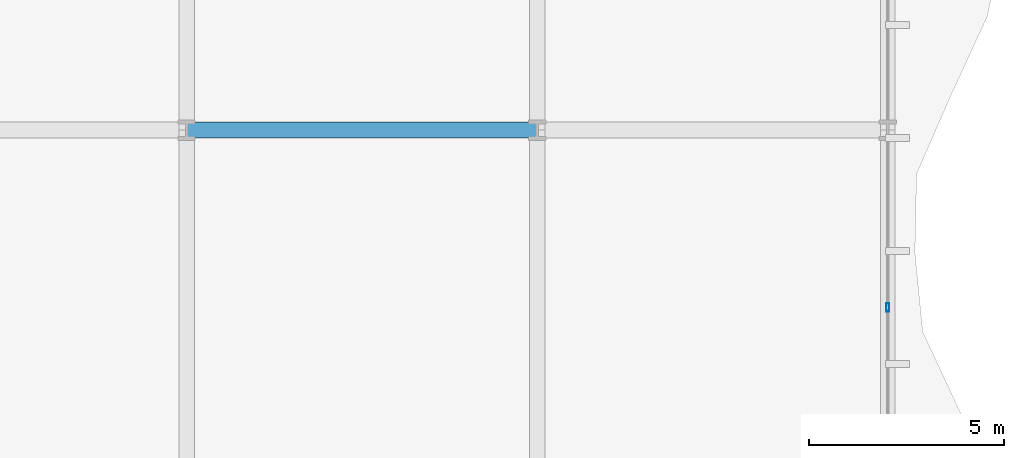
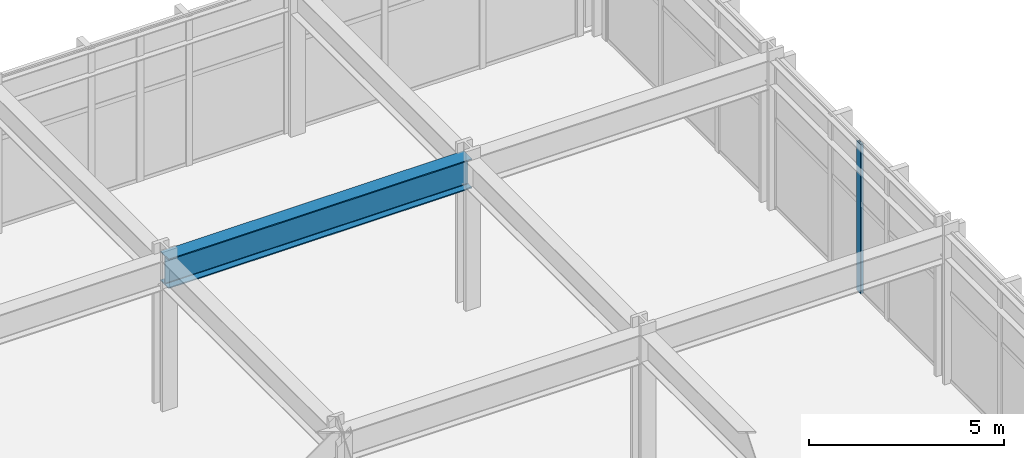
# One storey, part 15 of 28: 1 beam, 1 member, 1 element without a shape of its own.
"""IFC4 building model written with IfcOpenShell, lengths in metres."""

from ifc_helpers import new_model, si_unit, direction, frame, origin, origin_2d, place, context, subcontext, project, spatial, hollow_rectangle, i_section, extrude, material, layer, layer_set, material_profile, profile_set, type_object, element, aggregate, save


model = new_model("IFC4")

# Units and contexts
model_context = context("Model", 3, precision=1e-05, world=origin(), true_north=direction((0.0, 1.0)))
body_context = subcontext(model_context, "Body", "Model", "MODEL_VIEW")
ifc_project = project(units=[si_unit("LENGTHUNIT", "METRE"), si_unit("AREAUNIT", "SQUARE_METRE"), si_unit("VOLUMEUNIT", "CUBIC_METRE"), si_unit("PLANEANGLEUNIT", "RADIAN"), si_unit("MASSUNIT", "GRAM", prefix="KILO")], contexts=[model_context])

# Site, building, storey
site_placement = place(None, origin())
site = spatial("IfcSite", under=ifc_project, at=site_placement, CompositionType="ELEMENT")
building_placement = place(site_placement, origin())
building = spatial("IfcBuilding", under=site, at=building_placement, Name="Solvaryn Broadcast Tower", CompositionType="ELEMENT")
storey_placement = place(building_placement, frame((0.0, 0.0, 16.199951171875)))
storey = spatial("IfcBuildingStorey", under=building, at=storey_placement, Name="L03", CompositionType="ELEMENT", Elevation=16.199951171875)

# Beam
ifc_material_1 = material(Name="Steel ASTM A992 Grade 50", Category="steel")
ifc_material_profile_1 = material_profile(ifc_material_1, i_section(OverallWidth=0.41796875, OverallDepth=0.927001953125, WebThickness=0.019287109375, FlangeThickness=0.031982421875, FilletRadius=0.02392578125, at=origin_2d()))
ifc_profile_set_1 = profile_set([ifc_material_profile_1], Name="Steel ASTM A992 Grade 50")
beam_type = type_object("IfcBeamType", Name="BM-G2-W36X231", PredefinedType="BEAM", material=ifc_profile_set_1)
beam_placement = place(storey_placement, frame((45.0, 45.0, 4.216552734375), z_axis=(1.0, 0.0, 0.0), x_axis=(0.0, 1.0, 0.0)))
element("IfcBeam", 1, at=beam_placement, inside=storey, type_object=beam_type, Name="L03 Primary Beam X (45-54 @ Y=45)", PredefinedType="BEAM", context=body_context, shape_type="SweptSolid", body=[
    extrude(i_section(OverallWidth=0.41796875, OverallDepth=0.927001953125, WebThickness=0.019287109375, FlangeThickness=0.031982421875, FilletRadius=0.02392578125, at=origin_2d()), origin(), (0.0, 0.0, 1.0), 9.0),
])

# Curtain wall, member
ifc_material_2 = material(Name="Aluminium and Terracotta Unitised Curtain Wall", Category="masonry")
ifc_layer = layer(ifc_material_2, 0.219970703125)
ifc_layer_set = layer_set([ifc_layer], Name="CW-SYS1-PODIUM")
curtain_wall_type = type_object("IfcCurtainWallType", Name="CW-SYS1-PODIUM", PredefinedType="NOTDEFINED", material=ifc_layer_set)
curtain_wall_placement = place(storey_placement, origin())
curtain_wall = element("IfcCurtainWall", 2, at=curtain_wall_placement, inside=storey, type_object=curtain_wall_type, Name="L03 Podium Curtain Wall E1", PredefinedType="NOTDEFINED")
ifc_material_3 = material(Name="Anodised Aluminium 6063-T6", Category="aluminium")
ifc_material_profile_2 = material_profile(ifc_material_3, hollow_rectangle(XDim=0.0849609375, YDim=0.219970703125, WallThickness=0.0048828125, InnerFilletRadius=0.0048828125, OuterFilletRadius=0.010009765625, at=origin_2d()))
ifc_profile_set_2 = profile_set([ifc_material_profile_2], Name="Anodised Aluminium 6063-T6")
member_type = type_object("IfcMemberType", Name="CW-MUL-220", PredefinedType="MULLION", material=ifc_profile_set_2)
member_placement = place(storey_placement, frame((63.0, 40.449951171875, 0.0), z_axis=(0.0, 0.0, 1.0), x_axis=(1.0, 0.0, 0.0)))
member = element("IfcMember", 3, at=member_placement, type_object=member_type, Name="CWS1 mullion 2", PredefinedType="MULLION", context=body_context, shape_type="SweptSolid", body=[
    extrude(hollow_rectangle(XDim=0.0849609375, YDim=0.219970703125, WallThickness=0.0048828125, InnerFilletRadius=0.0048828125, OuterFilletRadius=0.010009765625, at=origin_2d()), origin(), (0.0, 0.0, 1.0), 4.679931640625),
])
aggregate(curtain_wall, [member])

save(model, "model.ifc")
